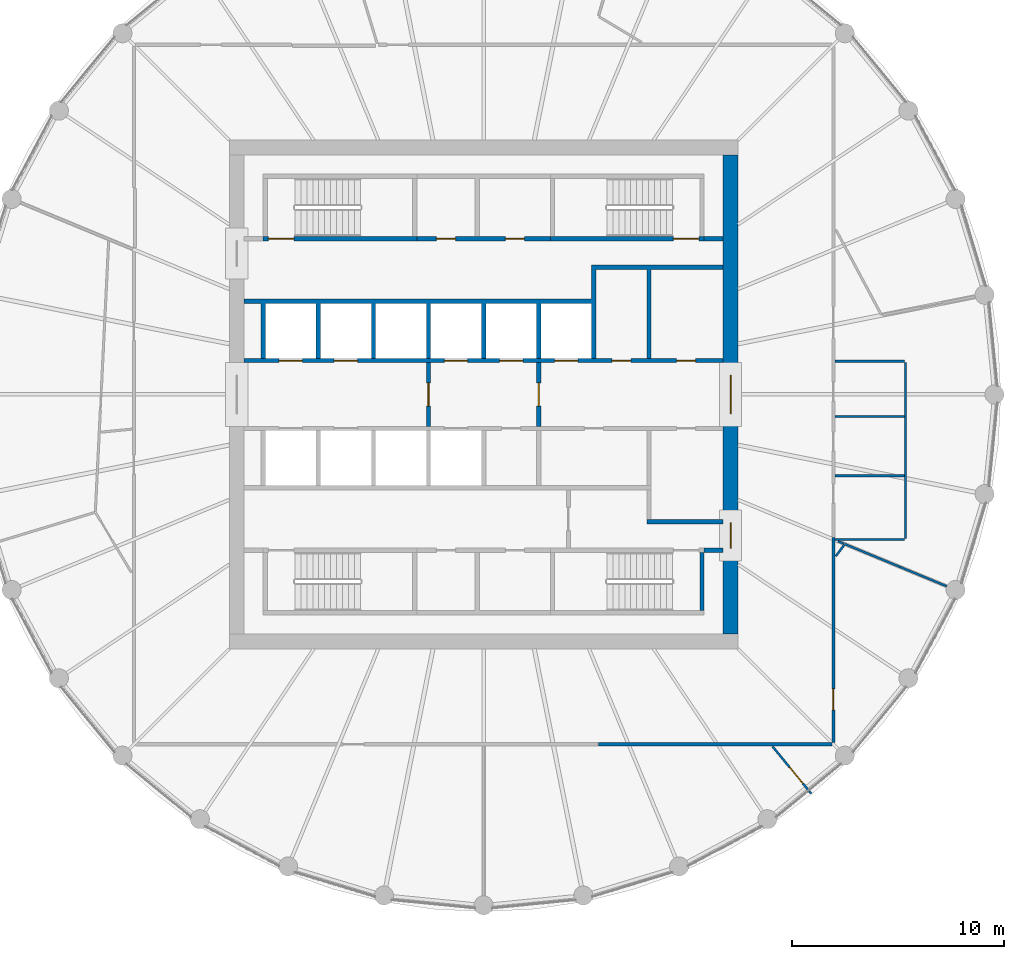
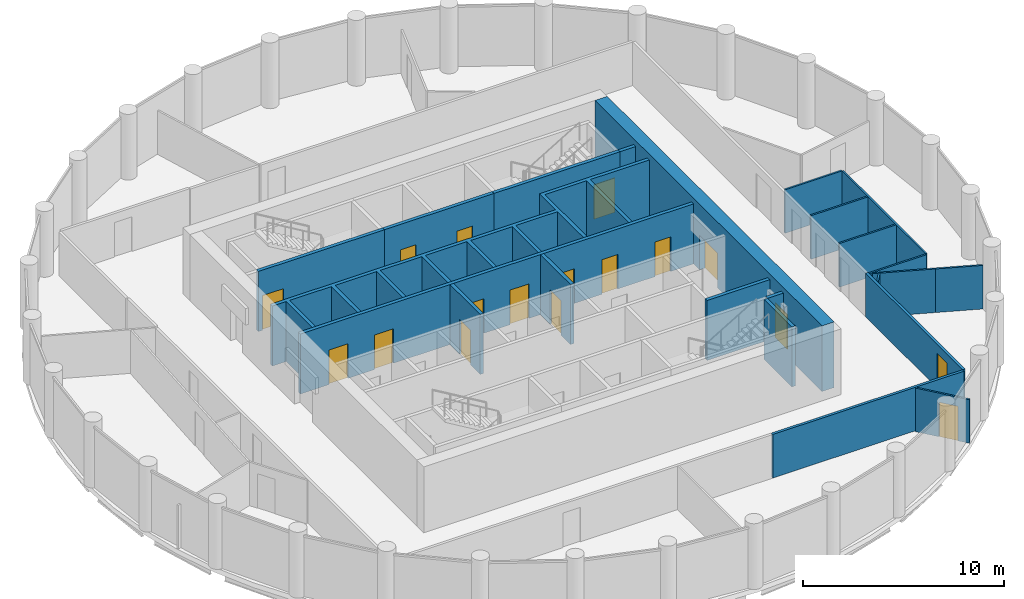
# One storey, part 5 of 7: 24 walls, 17 doors, 17 openings.
"""IFC4 building model written with IfcOpenShell, lengths in metres."""

from ifc_helpers import new_model, si_unit, direction, frame, frame_2d, origin, place, context, subcontext, project, spatial, polyline, rectangle, outline, extrude, material, layer, layer_set, type_object, element, fill, save


model = new_model("IFC4")

# Units and contexts
model_context = context("Model", 3, precision=1e-05, world=origin(), true_north=direction((0.0, 1.0)))
body_context = subcontext(model_context, "Body", "Model", "MODEL_VIEW")
ifc_project = project(units=[si_unit("LENGTHUNIT", "METRE"), si_unit("AREAUNIT", "SQUARE_METRE"), si_unit("VOLUMEUNIT", "CUBIC_METRE"), si_unit("PLANEANGLEUNIT", "RADIAN"), si_unit("MASSUNIT", "GRAM", prefix="KILO")], contexts=[model_context])

# Site, building, storey
site_placement = place(None, origin())
site = spatial("IfcSite", under=ifc_project, at=site_placement, CompositionType="ELEMENT")
building_placement = place(site_placement, origin())
building = spatial("IfcBuilding", under=site, at=building_placement, Name="Corvane Civic Tower", CompositionType="ELEMENT")
storey_placement = place(building_placement, frame((0.0, 0.0, 315.0)))
storey = spatial("IfcBuildingStorey", under=building, at=storey_placement, Name="L75", CompositionType="ELEMENT", Elevation=315.0)

# Wall, openings, doors
ifc_material_1 = material(Name="Concrete C40/50", Category="concrete")
ifc_layer_1 = layer(ifc_material_1, 0.699951171875)
ifc_layer_set_1 = layer_set([ifc_layer_1], Name="Concrete C40/50")
wall_type_1 = type_object("IfcWallType", Name="CORE WALL 700 C40/50", PredefinedType="SHEAR", material=ifc_layer_set_1)
wall_1_placement = place(storey_placement, frame((11.64990234375, -11.300048828125, 0.0), z_axis=(0.0, 0.0, 1.0), x_axis=(0.0, 1.0, 0.0)))
wall_1 = element("IfcWall", 1, at=wall_1_placement, inside=storey, type_object=wall_type_1, Name="W-L75-core-E", PredefinedType="SHEAR", context=body_context, shape_type="SweptSolid", body=[
    extrude(rectangle(XDim=22.60009765625, YDim=0.699951171875, at=frame_2d((11.300048828125, 0.0))), origin(), (0.0, 0.0, 1.0), 4.0),
])
opening_1_placement = place(wall_1_placement, frame((10.39990234375, 0.0, 0.0)))
opening_1 = element("IfcOpeningElement", 2, at=opening_1_placement, cuts=wall_1, Name="Opening L75.C18", PredefinedType="OPENING", context=body_context, shape_type="SweptSolid", body=[
    extrude(rectangle(XDim=1.800048828125, YDim=2.10009765625, at=frame_2d((0.89990234375, 1.050048828125))), frame((0.0, 0.35986328125, 0.0), z_axis=(0.0, -1.0, 0.0), x_axis=(1.0, 0.0, 0.0)), (0.0, 0.0, 1.0), 0.719970703125),
])
opening_2_placement = place(wall_1_placement, frame((4.050048828125, 0.0, 0.0)))
opening_2 = element("IfcOpeningElement", 3, at=opening_2_placement, cuts=wall_1, Name="Opening L75.C20", PredefinedType="OPENING", context=body_context, shape_type="SweptSolid", body=[
    extrude(rectangle(XDim=1.199951171875, YDim=2.10009765625, at=frame_2d((0.60009765625, 1.050048828125))), frame((0.0, 0.35986328125, 0.0), z_axis=(0.0, -1.0, 0.0), x_axis=(1.0, 0.0, 0.0)), (0.0, 0.0, 1.0), 0.719970703125),
])
ifc_material_2 = material(Name="Steel fire door leaf", Category="steel")
door_type_1 = type_object("IfcDoorType", Name="CR-DOOR-CORE-1800", OperationType="DOUBLE_DOOR_SINGLE_SWING", PredefinedType="DOOR", material=ifc_material_2)
door_1_placement = place(opening_1_placement, origin())
door_1 = element("IfcDoor", 4, at=door_1_placement, inside=storey, type_object=door_type_1, Name="L75 door", OperationType="DOUBLE_DOOR_SINGLE_SWING", OverallHeight=2.10009765625, OverallWidth=1.800048828125, PredefinedType="DOOR", context=body_context, shape_type="SweptSolid", body=[
    extrude(rectangle(XDim=1.800048828125, YDim=2.10009765625, at=frame_2d((0.89990234375, 1.050048828125))), frame((0.0, 0.02490234375, 0.0), z_axis=(0.0, -1.0, 0.0), x_axis=(1.0, 0.0, 0.0)), (0.0, 0.0, 1.0), 0.050048828125),
])
fill(opening_1, door_1)
door_2_placement = place(opening_2_placement, origin())
door_2 = element("IfcDoor", 5, at=door_2_placement, inside=storey, type_object=door_type_1, Name="L75 door", OperationType="DOUBLE_DOOR_SINGLE_SWING", OverallHeight=2.10009765625, OverallWidth=1.199951171875, PredefinedType="DOOR", context=body_context, shape_type="SweptSolid", body=[
    extrude(rectangle(XDim=1.199951171875, YDim=2.10009765625, at=frame_2d((0.60009765625, 1.050048828125))), frame((0.0, 0.02490234375, 0.0), z_axis=(0.0, -1.0, 0.0), x_axis=(1.0, 0.0, 0.0)), (0.0, 0.0, 1.0), 0.050048828125),
])
fill(opening_2, door_2)

ifc_material_3 = material(Name="Concrete C30/37", Category="concrete")
ifc_layer_2 = layer(ifc_material_3, 0.199951171875)
ifc_layer_set_2 = layer_set([ifc_layer_2], Name="Concrete C30/37")
wall_type_2 = type_object("IfcWallType", Name="CR-WALL-200", PredefinedType="PARTITIONING", material=ifc_layer_set_2)
wall_2_placement = place(storey_placement, frame((-11.300048828125, 1.60009765625, 0.0), z_axis=(0.0, 0.0, 1.0), x_axis=(1.0, 0.0, 0.0)))
wall_2 = element("IfcWall", 6, at=wall_2_placement, inside=storey, type_object=wall_type_2, Name="L75 lift shaft wall", PredefinedType="PARTITIONING", context=body_context, shape_type="SweptSolid", body=[
    extrude(rectangle(XDim=22.60009765625, YDim=0.199951171875, at=frame_2d((11.300048828125, 0.0))), origin(), (0.0, 0.0, 1.0), 3.64990234375),
])
opening_3_placement = place(wall_2_placement, frame((1.64990234375, 0.0, 0.0)))
opening_3 = element("IfcOpeningElement", 7, at=opening_3_placement, cuts=wall_2, Name="Opening LD", PredefinedType="OPENING", context=body_context, shape_type="SweptSolid", body=[
    extrude(rectangle(XDim=1.10009765625, YDim=2.10009765625, at=frame_2d((0.550048828125, 1.050048828125))), frame((0.0, 0.10986328125, 0.0), z_axis=(0.0, -1.0, 0.0), x_axis=(1.0, 0.0, 0.0)), (0.0, 0.0, 1.0), 0.219970703125),
])
opening_4_placement = place(wall_2_placement, frame((4.25, 0.0, 0.0)))
opening_4 = element("IfcOpeningElement", 8, at=opening_4_placement, cuts=wall_2, Name="Opening LD", PredefinedType="OPENING", context=body_context, shape_type="SweptSolid", body=[
    extrude(rectangle(XDim=1.10009765625, YDim=2.10009765625, at=frame_2d((0.550048828125, 1.050048828125))), frame((0.0, 0.10986328125, 0.0), z_axis=(0.0, -1.0, 0.0), x_axis=(1.0, 0.0, 0.0)), (0.0, 0.0, 1.0), 0.219970703125),
])
opening_5_placement = place(wall_2_placement, frame((9.449951171875, 0.0, 0.0)))
opening_5 = element("IfcOpeningElement", 9, at=opening_5_placement, cuts=wall_2, Name="Opening LD", PredefinedType="OPENING", context=body_context, shape_type="SweptSolid", body=[
    extrude(rectangle(XDim=1.10009765625, YDim=2.10009765625, at=frame_2d((0.550048828125, 1.050048828125))), frame((0.0, 0.10986328125, 0.0), z_axis=(0.0, -1.0, 0.0), x_axis=(1.0, 0.0, 0.0)), (0.0, 0.0, 1.0), 0.219970703125),
])
opening_6_placement = place(wall_2_placement, frame((12.050048828125, 0.0, 0.0)))
opening_6 = element("IfcOpeningElement", 10, at=opening_6_placement, cuts=wall_2, Name="Opening LD", PredefinedType="OPENING", context=body_context, shape_type="SweptSolid", body=[
    extrude(rectangle(XDim=1.10009765625, YDim=2.10009765625, at=frame_2d((0.550048828125, 1.050048828125))), frame((0.0, 0.10986328125, 0.0), z_axis=(0.0, -1.0, 0.0), x_axis=(1.0, 0.0, 0.0)), (0.0, 0.0, 1.0), 0.219970703125),
])
opening_7_placement = place(wall_2_placement, frame((14.64990234375, 0.0, 0.0)))
opening_7 = element("IfcOpeningElement", 11, at=opening_7_placement, cuts=wall_2, Name="Opening LD", PredefinedType="OPENING", context=body_context, shape_type="SweptSolid", body=[
    extrude(rectangle(XDim=1.10009765625, YDim=2.10009765625, at=frame_2d((0.550048828125, 1.050048828125))), frame((0.0, 0.10986328125, 0.0), z_axis=(0.0, -1.0, 0.0), x_axis=(1.0, 0.0, 0.0)), (0.0, 0.0, 1.0), 0.219970703125),
])
opening_8_placement = place(wall_2_placement, frame((17.35009765625, 0.0, 0.0)))
opening_8 = element("IfcOpeningElement", 12, at=opening_8_placement, cuts=wall_2, Name="Opening L75.C01", PredefinedType="OPENING", context=body_context, shape_type="SweptSolid", body=[
    extrude(rectangle(XDim=0.89990234375, YDim=2.10009765625, at=frame_2d((0.449951171875, 1.050048828125))), frame((0.0, 0.10986328125, 0.0), z_axis=(0.0, -1.0, 0.0), x_axis=(1.0, 0.0, 0.0)), (0.0, 0.0, 1.0), 0.219970703125),
])
opening_9_placement = place(wall_2_placement, frame((20.39990234375, 0.0, 0.0)))
opening_9 = element("IfcOpeningElement", 13, at=opening_9_placement, cuts=wall_2, Name="Opening L75.C02", PredefinedType="OPENING", context=body_context, shape_type="SweptSolid", body=[
    extrude(rectangle(XDim=0.89990234375, YDim=2.10009765625, at=frame_2d((0.449951171875, 1.050048828125))), frame((0.0, 0.10986328125, 0.0), z_axis=(0.0, -1.0, 0.0), x_axis=(1.0, 0.0, 0.0)), (0.0, 0.0, 1.0), 0.219970703125),
])
ifc_material_4 = material(Name="Steel fire door leaf", Category="steel")
door_type_2 = type_object("IfcDoorType", Name="CR-DOOR-900", OperationType="SINGLE_SWING_LEFT", PredefinedType="DOOR", material=ifc_material_4)
door_3_placement = place(opening_8_placement, origin())
door_3 = element("IfcDoor", 14, at=door_3_placement, inside=storey, type_object=door_type_2, Name="L75 door", OperationType="SINGLE_SWING_LEFT", OverallHeight=2.10009765625, OverallWidth=0.89990234375, PredefinedType="DOOR", context=body_context, shape_type="SweptSolid", body=[
    extrude(rectangle(XDim=0.89990234375, YDim=2.10009765625, at=frame_2d((0.449951171875, 1.050048828125))), frame((0.0, 0.02490234375, 0.0), z_axis=(0.0, -1.0, 0.0), x_axis=(1.0, 0.0, 0.0)), (0.0, 0.0, 1.0), 0.050048828125),
])
fill(opening_8, door_3)
door_4_placement = place(opening_9_placement, origin())
door_4 = element("IfcDoor", 15, at=door_4_placement, inside=storey, type_object=door_type_2, Name="L75 door", OperationType="SINGLE_SWING_LEFT", OverallHeight=2.10009765625, OverallWidth=0.89990234375, PredefinedType="DOOR", context=body_context, shape_type="SweptSolid", body=[
    extrude(rectangle(XDim=0.89990234375, YDim=2.10009765625, at=frame_2d((0.449951171875, 1.050048828125))), frame((0.0, 0.02490234375, 0.0), z_axis=(0.0, -1.0, 0.0), x_axis=(1.0, 0.0, 0.0)), (0.0, 0.0, 1.0), 0.050048828125),
])
fill(opening_9, door_4)
ifc_material_5 = material(Name="Stainless steel 316 door leaves", Category="steel")
door_type_3 = type_object("IfcDoorType", Name="LD", OperationType="DOUBLE_DOOR_SLIDING", PredefinedType="DOOR", material=ifc_material_5)
door_5_placement = place(opening_3_placement, origin())
door_5 = element("IfcDoor", 16, at=door_5_placement, inside=storey, type_object=door_type_3, Name="L75 landing door", OperationType="DOUBLE_DOOR_SLIDING", OverallHeight=2.10009765625, OverallWidth=1.10009765625, PredefinedType="DOOR", context=body_context, shape_type="SweptSolid", body=[
    extrude(rectangle(XDim=1.10009765625, YDim=2.10009765625, at=frame_2d((0.550048828125, 1.050048828125))), frame((0.0, 0.02490234375, 0.0), z_axis=(0.0, -1.0, 0.0), x_axis=(1.0, 0.0, 0.0)), (0.0, 0.0, 1.0), 0.050048828125),
])
fill(opening_3, door_5)
door_6_placement = place(opening_4_placement, origin())
door_6 = element("IfcDoor", 17, at=door_6_placement, inside=storey, type_object=door_type_3, Name="L75 landing door", OperationType="DOUBLE_DOOR_SLIDING", OverallHeight=2.10009765625, OverallWidth=1.10009765625, PredefinedType="DOOR", context=body_context, shape_type="SweptSolid", body=[
    extrude(rectangle(XDim=1.10009765625, YDim=2.10009765625, at=frame_2d((0.550048828125, 1.050048828125))), frame((0.0, 0.02490234375, 0.0), z_axis=(0.0, -1.0, 0.0), x_axis=(1.0, 0.0, 0.0)), (0.0, 0.0, 1.0), 0.050048828125),
])
fill(opening_4, door_6)
door_7_placement = place(opening_5_placement, origin())
door_7 = element("IfcDoor", 18, at=door_7_placement, inside=storey, type_object=door_type_3, Name="L75 landing door", OperationType="DOUBLE_DOOR_SLIDING", OverallHeight=2.10009765625, OverallWidth=1.10009765625, PredefinedType="DOOR", context=body_context, shape_type="SweptSolid", body=[
    extrude(rectangle(XDim=1.10009765625, YDim=2.10009765625, at=frame_2d((0.550048828125, 1.050048828125))), frame((0.0, 0.02490234375, 0.0), z_axis=(0.0, -1.0, 0.0), x_axis=(1.0, 0.0, 0.0)), (0.0, 0.0, 1.0), 0.050048828125),
])
fill(opening_5, door_7)
door_8_placement = place(opening_6_placement, origin())
door_8 = element("IfcDoor", 19, at=door_8_placement, inside=storey, type_object=door_type_3, Name="L75 landing door", OperationType="DOUBLE_DOOR_SLIDING", OverallHeight=2.10009765625, OverallWidth=1.10009765625, PredefinedType="DOOR", context=body_context, shape_type="SweptSolid", body=[
    extrude(rectangle(XDim=1.10009765625, YDim=2.10009765625, at=frame_2d((0.550048828125, 1.050048828125))), frame((0.0, 0.02490234375, 0.0), z_axis=(0.0, -1.0, 0.0), x_axis=(1.0, 0.0, 0.0)), (0.0, 0.0, 1.0), 0.050048828125),
])
fill(opening_6, door_8)
door_9_placement = place(opening_7_placement, origin())
door_9 = element("IfcDoor", 20, at=door_9_placement, inside=storey, type_object=door_type_3, Name="L75 landing door", OperationType="DOUBLE_DOOR_SLIDING", OverallHeight=2.10009765625, OverallWidth=1.10009765625, PredefinedType="DOOR", context=body_context, shape_type="SweptSolid", body=[
    extrude(rectangle(XDim=1.10009765625, YDim=2.10009765625, at=frame_2d((0.550048828125, 1.050048828125))), frame((0.0, 0.02490234375, 0.0), z_axis=(0.0, -1.0, 0.0), x_axis=(1.0, 0.0, 0.0)), (0.0, 0.0, 1.0), 0.050048828125),
])
fill(opening_7, door_9)

wall_3_placement = place(storey_placement, frame((-3.14990234375, 7.35009765625, 0.0), z_axis=(0.0, 0.0, 1.0), x_axis=(1.0, 0.0, 0.0)))
wall_3 = element("IfcWall", 21, at=wall_3_placement, inside=storey, type_object=wall_type_2, Name="L75 core partition wall", PredefinedType="PARTITIONING", context=body_context, shape_type="SweptSolid", body=[
    extrude(rectangle(XDim=6.2998046875, YDim=0.199951171875, at=frame_2d((3.14990234375, 0.0))), origin(), (0.0, 0.0, 1.0), 3.64990234375),
])
opening_10_placement = place(wall_3_placement, frame((0.925048828125, 0.0, 0.0)))
opening_10 = element("IfcOpeningElement", 22, at=opening_10_placement, cuts=wall_3, Name="Opening L75.C06", PredefinedType="OPENING", context=body_context, shape_type="SweptSolid", body=[
    extrude(rectangle(XDim=0.89990234375, YDim=2.10009765625, at=frame_2d((0.449951171875, 1.050048828125))), frame((0.0, 0.10986328125, 0.0), z_axis=(0.0, -1.0, 0.0), x_axis=(1.0, 0.0, 0.0)), (0.0, 0.0, 1.0), 0.219970703125),
])
opening_11_placement = place(wall_3_placement, frame((4.175048828125, 0.0, 0.0)))
opening_11 = element("IfcOpeningElement", 23, at=opening_11_placement, cuts=wall_3, Name="Opening L75.C07", PredefinedType="OPENING", context=body_context, shape_type="SweptSolid", body=[
    extrude(rectangle(XDim=0.89990234375, YDim=2.10009765625, at=frame_2d((0.449951171875, 1.050048828125))), frame((0.0, 0.10986328125, 0.0), z_axis=(0.0, -1.0, 0.0), x_axis=(1.0, 0.0, 0.0)), (0.0, 0.0, 1.0), 0.219970703125),
])
door_10_placement = place(opening_10_placement, origin())
door_10 = element("IfcDoor", 24, at=door_10_placement, inside=storey, type_object=door_type_2, Name="L75 door", OperationType="SINGLE_SWING_LEFT", OverallHeight=2.10009765625, OverallWidth=0.89990234375, PredefinedType="DOOR", context=body_context, shape_type="SweptSolid", body=[
    extrude(rectangle(XDim=0.89990234375, YDim=2.10009765625, at=frame_2d((0.449951171875, 1.050048828125))), frame((0.0, 0.02490234375, 0.0), z_axis=(0.0, -1.0, 0.0), x_axis=(1.0, 0.0, 0.0)), (0.0, 0.0, 1.0), 0.050048828125),
])
fill(opening_10, door_10)
door_11_placement = place(opening_11_placement, origin())
door_11 = element("IfcDoor", 25, at=door_11_placement, inside=storey, type_object=door_type_2, Name="L75 door", OperationType="SINGLE_SWING_LEFT", OverallHeight=2.10009765625, OverallWidth=0.89990234375, PredefinedType="DOOR", context=body_context, shape_type="SweptSolid", body=[
    extrude(rectangle(XDim=0.89990234375, YDim=2.10009765625, at=frame_2d((0.449951171875, 1.050048828125))), frame((0.0, 0.02490234375, 0.0), z_axis=(0.0, -1.0, 0.0), x_axis=(1.0, 0.0, 0.0)), (0.0, 0.0, 1.0), 0.050048828125),
])
fill(opening_11, door_11)

# Wall, opening, door
wall_4_placement = place(storey_placement, frame((-2.60009765625, -1.5, 0.0), z_axis=(0.0, 0.0, 1.0), x_axis=(0.0, 1.0, 0.0)))
wall_4 = element("IfcWall", 26, at=wall_4_placement, inside=storey, type_object=wall_type_2, Name="L75 firefighting lobby wall", PredefinedType="PARTITIONING", context=body_context, shape_type="SweptSolid", body=[
    extrude(rectangle(XDim=3.0, YDim=0.199951171875, at=frame_2d((1.5, 0.0))), origin(), (0.0, 0.0, 1.0), 3.64990234375),
])
opening_12_placement = place(wall_4_placement, frame((0.949951171875, 0.0, 0.0)))
opening_12 = element("IfcOpeningElement", 27, at=opening_12_placement, cuts=wall_4, Name="Opening L75.C14", PredefinedType="OPENING", context=body_context, shape_type="SweptSolid", body=[
    extrude(rectangle(XDim=1.10009765625, YDim=2.10009765625, at=frame_2d((0.550048828125, 1.050048828125))), frame((0.0, 0.10986328125, 0.0), z_axis=(0.0, -1.0, 0.0), x_axis=(1.0, 0.0, 0.0)), (0.0, 0.0, 1.0), 0.219970703125),
])
ifc_material_6 = material(Name="Steel fire door leaf", Category="steel")
door_type_4 = type_object("IfcDoorType", Name="CR-DOOR-FFL-1100", OperationType="SINGLE_SWING_LEFT", PredefinedType="DOOR", material=ifc_material_6)
door_12_placement = place(opening_12_placement, origin())
door_12 = element("IfcDoor", 28, at=door_12_placement, inside=storey, type_object=door_type_4, Name="L75 lobby door", OperationType="SINGLE_SWING_LEFT", OverallHeight=2.10009765625, OverallWidth=1.10009765625, PredefinedType="DOOR", context=body_context, shape_type="SweptSolid", body=[
    extrude(rectangle(XDim=1.10009765625, YDim=2.10009765625, at=frame_2d((0.550048828125, 1.050048828125))), frame((0.0, 0.02490234375, 0.0), z_axis=(0.0, -1.0, 0.0), x_axis=(1.0, 0.0, 0.0)), (0.0, 0.0, 1.0), 0.050048828125),
])
fill(opening_12, door_12)

wall_5_placement = place(storey_placement, frame((2.60009765625, -1.5, 0.0), z_axis=(0.0, 0.0, 1.0), x_axis=(0.0, 1.0, 0.0)))
wall_5 = element("IfcWall", 29, at=wall_5_placement, inside=storey, type_object=wall_type_2, Name="L75 firefighting lobby wall", PredefinedType="PARTITIONING", context=body_context, shape_type="SweptSolid", body=[
    extrude(rectangle(XDim=3.0, YDim=0.199951171875, at=frame_2d((1.5, 0.0))), origin(), (0.0, 0.0, 1.0), 3.64990234375),
])
opening_13_placement = place(wall_5_placement, frame((0.949951171875, 0.0, 0.0)))
opening_13 = element("IfcOpeningElement", 30, at=opening_13_placement, cuts=wall_5, Name="Opening L75.C15", PredefinedType="OPENING", context=body_context, shape_type="SweptSolid", body=[
    extrude(rectangle(XDim=1.10009765625, YDim=2.10009765625, at=frame_2d((0.550048828125, 1.050048828125))), frame((0.0, 0.10986328125, 0.0), z_axis=(0.0, -1.0, 0.0), x_axis=(1.0, 0.0, 0.0)), (0.0, 0.0, 1.0), 0.219970703125),
])
door_13_placement = place(opening_13_placement, origin())
door_13 = element("IfcDoor", 31, at=door_13_placement, inside=storey, type_object=door_type_4, Name="L75 lobby door", OperationType="SINGLE_SWING_LEFT", OverallHeight=2.10009765625, OverallWidth=1.10009765625, PredefinedType="DOOR", context=body_context, shape_type="SweptSolid", body=[
    extrude(rectangle(XDim=1.10009765625, YDim=2.10009765625, at=frame_2d((0.550048828125, 1.050048828125))), frame((0.0, 0.02490234375, 0.0), z_axis=(0.0, -1.0, 0.0), x_axis=(1.0, 0.0, 0.0)), (0.0, 0.0, 1.0), 0.050048828125),
])
fill(opening_13, door_13)

# Walls
wall_6_placement = place(storey_placement, origin())
element("IfcWall", 32, at=wall_6_placement, inside=storey, type_object=wall_type_2, Name="L75 core partition wall", PredefinedType="PARTITIONING", context=body_context, shape_type="SweptSolid", body=[
    extrude(outline(polyline([(11.300048828125, -6.10009765625), (7.699951171875, -6.10009765625), (7.699951171875, -5.89990234375), (11.300048828125, -5.89990234375), (11.300048828125, -6.10009765625)])), origin(), (0.0, 0.0, 1.0), 3.64990234375),
])
wall_7_placement = place(storey_placement, origin())
element("IfcWall", 33, at=wall_7_placement, inside=storey, type_object=wall_type_2, Name="L75 core partition wall", PredefinedType="PARTITIONING", context=body_context, shape_type="SweptSolid", body=[
    extrude(outline(polyline([(-5.300048828125, 1.699951171875), (-5.300048828125, 4.300048828125), (-7.699951171875, 4.300048828125), (-7.699951171875, 1.699951171875), (-7.89990234375, 1.699951171875), (-7.89990234375, 4.300048828125), (-10.300048828125, 4.300048828125), (-10.300048828125, 1.699951171875), (-10.5, 1.699951171875), (-10.5, 4.300048828125), (-11.300048828125, 4.300048828125), (-11.300048828125, 4.5), (5.10009765625, 4.5), (5.10009765625, 6.10009765625), (11.300048828125, 6.10009765625), (11.300048828125, 5.89990234375), (7.89990234375, 5.89990234375), (7.89990234375, 1.699951171875), (7.699951171875, 1.699951171875), (7.699951171875, 5.89990234375), (5.300048828125, 5.89990234375), (5.300048828125, 1.699951171875), (5.10009765625, 1.699951171875), (5.10009765625, 4.300048828125), (2.699951171875, 4.300048828125), (2.699951171875, 1.699951171875), (2.5, 1.699951171875), (2.5, 4.300048828125), (0.10009765625, 4.300048828125), (0.10009765625, 1.699951171875), (-0.10009765625, 1.699951171875), (-0.10009765625, 4.300048828125), (-2.5, 4.300048828125), (-2.5, 1.699951171875), (-2.699951171875, 1.699951171875), (-2.699951171875, 4.300048828125), (-5.10009765625, 4.300048828125), (-5.10009765625, 1.699951171875), (-5.300048828125, 1.699951171875)])), origin(), (0.0, 0.0, 1.0), 3.64990234375),
])
wall_8_placement = place(storey_placement, origin())
element("IfcWall", 34, at=wall_8_placement, inside=storey, type_object=wall_type_2, Name="L75 core partition wall", PredefinedType="PARTITIONING", context=body_context, shape_type="SweptSolid", body=[
    extrude(outline(polyline([(11.300048828125, -7.449951171875), (10.39990234375, -7.449951171875), (10.39990234375, -7.25), (11.300048828125, -7.25), (11.300048828125, -7.449951171875)])), origin(), (0.0, 0.0, 1.0), 3.64990234375),
])
wall_9_placement = place(storey_placement, origin())
element("IfcWall", 35, at=wall_9_placement, inside=storey, type_object=wall_type_2, Name="L75 core partition wall", PredefinedType="PARTITIONING", context=body_context, shape_type="SweptSolid", body=[
    extrude(outline(polyline([(10.39990234375, 7.25), (10.39990234375, 7.449951171875), (11.300048828125, 7.449951171875), (11.300048828125, 7.25), (10.39990234375, 7.25)])), origin(), (0.0, 0.0, 1.0), 3.64990234375),
])

# Wall, opening, door
ifc_material_7 = material(Name="Plasterboard")
ifc_layer_3 = layer(ifc_material_7, 0.10009765625)
ifc_layer_set_3 = layer_set([ifc_layer_3], Name="Plasterboard")
wall_type_3 = type_object("IfcWallType", Name="Partition 100 plasterboard on studs", PredefinedType="PARTITIONING", material=ifc_layer_set_3)
wall_10_placement = place(storey_placement, frame((13.62890625, -16.606689453125, 0.0), z_axis=(0.0, 0.0, 1.0), x_axis=(0.634336185926, -0.773057309147, 0.0)))
wall_10 = element("IfcWall", 36, at=wall_10_placement, inside=storey, type_object=wall_type_3, Name="Partition L75.002", PredefinedType="PARTITIONING", context=body_context, shape_type="SweptSolid", body=[
    extrude(rectangle(XDim=2.866943359375, YDim=0.10009765625, at=frame_2d((1.43359375, 0.0))), origin(), (0.0, 0.0, 1.0), 2.64990234375),
])
opening_14_placement = place(wall_10_placement, frame((1.2607421875, 0.0, 0.0)))
opening_14 = element("IfcOpeningElement", 37, at=opening_14_placement, cuts=wall_10, Name="Opening L75.002", PredefinedType="OPENING", context=body_context, shape_type="SweptSolid", body=[
    extrude(rectangle(XDim=1.0, YDim=2.10009765625, at=frame_2d((0.5, 1.050048828125))), frame((0.0, 0.06005859375, 0.0), z_axis=(0.0, -1.0, 0.0), x_axis=(1.0, 0.0, 0.0)), (0.0, 0.0, 1.0), 0.1201171875),
])
ifc_material_8 = material(Name="Timber", Category="wood")
door_type_5 = type_object("IfcDoorType", Name="Single door 1000", OperationType="NOTDEFINED", PredefinedType="DOOR", material=ifc_material_8)
door_14_placement = place(opening_14_placement, frame((1.0, 0.0, 0.0), z_axis=(0.0, 0.0, 1.0), x_axis=(-1.0, 0.0, 0.0)))
door_14 = element("IfcDoor", 38, at=door_14_placement, inside=storey, type_object=door_type_5, Name="Door L75.002", OperationType="SINGLE_SWING_RIGHT", OverallHeight=2.10009765625, OverallWidth=1.0, PredefinedType="DOOR", context=body_context, shape_type="SweptSolid", body=[
    extrude(rectangle(XDim=1.0, YDim=2.10009765625, at=frame_2d((0.5, 1.050048828125))), frame((0.0, 0.02490234375, 0.0), z_axis=(0.0, -1.0, 0.0), x_axis=(1.0, 0.0, 0.0)), (0.0, 0.0, 1.0), 0.050048828125),
])
fill(opening_14, door_14)

# Walls
wall_11_placement = place(storey_placement, frame((19.643310546875, -8.13671875, 0.0), z_axis=(0.0, 0.0, 1.0), x_axis=(0.923949280598, -0.382515002167, 0.0)))
element("IfcWall", 39, at=wall_11_placement, inside=storey, type_object=wall_type_3, Name="Partition L75.007", PredefinedType="PARTITIONING", context=body_context, shape_type="SweptSolid", body=[
    extrude(rectangle(XDim=2.378173828125, YDim=0.10009765625, at=frame_2d((1.18896484375, 0.0))), origin(), (0.0, 0.0, 1.0), 2.64990234375),
])
wall_12_placement = place(storey_placement, frame((17.02978515625, -7.053955078125, 0.0), z_axis=(0.0, 0.0, 1.0), x_axis=(0.92385378389, -0.382745589122, 0.0)))
element("IfcWall", 40, at=wall_12_placement, inside=storey, type_object=wall_type_3, Name="Partition L75.009", PredefinedType="PARTITIONING", context=body_context, shape_type="SweptSolid", body=[
    extrude(rectangle(XDim=2.828857421875, YDim=0.10009765625, at=frame_2d((1.41455078125, 0.0))), origin(), (0.0, 0.0, 1.0), 2.64990234375),
])
wall_13_placement = place(storey_placement, frame((16.574951171875, -6.83447265625, 0.0), z_axis=(0.0, 0.0, 1.0), x_axis=(1.0, 0.0, 0.0)))
element("IfcWall", 41, at=wall_13_placement, inside=storey, type_object=wall_type_3, Name="Partition L75.011", PredefinedType="PARTITIONING", context=body_context, shape_type="SweptSolid", body=[
    extrude(rectangle(XDim=3.275146484375, YDim=0.10009765625, at=frame_2d((1.6376953125, 0.0))), origin(), (0.0, 0.0, 1.0), 2.64990234375),
])
wall_14_placement = place(storey_placement, frame((19.89990234375, -6.784423828125, 0.0), z_axis=(0.0, 0.0, 1.0), x_axis=(0.0, 1.0, 0.0)))
element("IfcWall", 42, at=wall_14_placement, inside=storey, type_object=wall_type_3, Name="Partition L75.012", PredefinedType="PARTITIONING", context=body_context, shape_type="SweptSolid", body=[
    extrude(rectangle(XDim=8.2998046875, YDim=0.10009765625, at=frame_2d((4.14990234375, 0.0))), origin(), (0.0, 0.0, 1.0), 2.64990234375),
])
for number, where, z_axis, x_axis, name in (
    (43, (16.574951171875, -3.83447265625, 0.0), (0.0, 0.0, 1.0), (1.0, 0.0, 0.0), "Partition L75.015"),
    (44, (16.574951171875, -1.034423828125, 0.0), (0.0, 0.0, 1.0), (1.0, 0.0, 0.0), "Partition L75.017"),
    (45, (16.574951171875, 1.5654296875, 0.0), (0.0, 0.0, 1.0), (1.0, 0.0, 0.0), "Partition L75.018"),
):
    element("IfcWall", number, at=place(storey_placement, frame(where, z_axis=z_axis, x_axis=x_axis)), inside=storey, type_object=wall_type_3, Name=name, PredefinedType="PARTITIONING", context=body_context, shape_type="SweptSolid", body=[
        extrude(rectangle(XDim=3.275146484375, YDim=0.10009765625, at=frame_2d((1.6376953125, 0.0))), origin(), (0.0, 0.0, 1.0), 2.64990234375),
    ])
wall_15_placement = place(storey_placement, frame((16.71728515625, -6.924560546875, 0.0), z_axis=(0.0, 0.0, 1.0), x_axis=(0.924006983526, -0.382375593358, 0.0)))
element("IfcWall", 46, at=wall_15_placement, inside=storey, type_object=wall_type_3, Name="Partition L75.030", PredefinedType="PARTITIONING", context=body_context, shape_type="SweptSolid", body=[
    extrude(rectangle(XDim=0.302001953125, YDim=0.10009765625, at=frame_2d((0.15087890625, 0.0))), origin(), (0.0, 0.0, 1.0), 2.64990234375),
])
wall_16_placement = place(storey_placement, frame((16.614990234375, -7.6298828125, 0.0), z_axis=(0.0, 0.0, 1.0), x_axis=(0.595733138073, 0.803182437683, 0.0)))
element("IfcWall", 47, at=wall_16_placement, inside=storey, type_object=wall_type_3, Name="Partition L75.031", PredefinedType="PARTITIONING", context=body_context, shape_type="SweptSolid", body=[
    extrude(rectangle(XDim=0.669677734375, YDim=0.10009765625, at=frame_2d((0.3349609375, 0.0))), origin(), (0.0, 0.0, 1.0), 2.64990234375),
])

# Wall, opening, door
ifc_material_9 = material(Name="Concrete C50/60", Category="concrete")
ifc_layer_4 = layer(ifc_material_9, 0.199951171875)
ifc_layer_set_4 = layer_set([ifc_layer_4], Name="Concrete C50/60")
wall_type_4 = type_object("IfcWallType", Name="ST-WALL-200", PredefinedType="SHEAR", material=ifc_layer_set_4)
wall_17_placement = place(storey_placement, frame((-10.39990234375, 7.35009765625, 0.0), z_axis=(0.0, 0.0, 1.0), x_axis=(1.0, 0.0, 0.0)))
wall_17 = element("IfcWall", 48, at=wall_17_placement, inside=storey, type_object=wall_type_4, Name="L75 stair enclosure wall", PredefinedType="SHEAR", context=body_context, shape_type="SweptSolid", body=[
    extrude(rectangle(XDim=7.25, YDim=0.199951171875, at=frame_2d((3.625, 0.0))), origin(), (0.0, 0.0, 1.0), 3.64990234375),
])
opening_15_placement = place(wall_17_placement, frame((0.25, 0.0, 0.0)))
opening_15 = element("IfcOpeningElement", 49, at=opening_15_placement, cuts=wall_17, Name="Opening L75.C11", PredefinedType="OPENING", context=body_context, shape_type="SweptSolid", body=[
    extrude(rectangle(XDim=1.199951171875, YDim=2.10009765625, at=frame_2d((0.60009765625, 1.050048828125))), frame((0.0, 0.10986328125, 0.0), z_axis=(0.0, -1.0, 0.0), x_axis=(1.0, 0.0, 0.0)), (0.0, 0.0, 1.0), 0.219970703125),
])
ifc_material_10 = material(Name="Steel fire door leaf", Category="steel")
door_type_6 = type_object("IfcDoorType", Name="ST-DOOR-1200", OperationType="SINGLE_SWING_RIGHT", PredefinedType="DOOR", material=ifc_material_10)
door_15_placement = place(opening_15_placement, origin())
door_15 = element("IfcDoor", 50, at=door_15_placement, inside=storey, type_object=door_type_6, Name="L75 stair door", OperationType="SINGLE_SWING_RIGHT", OverallHeight=2.10009765625, OverallWidth=1.199951171875, PredefinedType="DOOR", context=body_context, shape_type="SweptSolid", body=[
    extrude(rectangle(XDim=1.199951171875, YDim=2.10009765625, at=frame_2d((0.60009765625, 1.050048828125))), frame((0.0, 0.02490234375, 0.0), z_axis=(0.0, -1.0, 0.0), x_axis=(1.0, 0.0, 0.0)), (0.0, 0.0, 1.0), 0.050048828125),
])
fill(opening_15, door_15)

wall_18_placement = place(storey_placement, frame((3.14990234375, 7.35009765625, 0.0), z_axis=(0.0, 0.0, 1.0), x_axis=(1.0, 0.0, 0.0)))
wall_18 = element("IfcWall", 51, at=wall_18_placement, inside=storey, type_object=wall_type_4, Name="L75 stair enclosure wall", PredefinedType="SHEAR", context=body_context, shape_type="SweptSolid", body=[
    extrude(rectangle(XDim=7.25, YDim=0.199951171875, at=frame_2d((3.625, 0.0))), origin(), (0.0, 0.0, 1.0), 3.64990234375),
])
opening_16_placement = place(wall_18_placement, frame((5.800048828125, 0.0, 0.0)))
opening_16 = element("IfcOpeningElement", 52, at=opening_16_placement, cuts=wall_18, Name="Opening L75.C10", PredefinedType="OPENING", context=body_context, shape_type="SweptSolid", body=[
    extrude(rectangle(XDim=1.199951171875, YDim=2.10009765625, at=frame_2d((0.60009765625, 1.050048828125))), frame((0.0, 0.10986328125, 0.0), z_axis=(0.0, -1.0, 0.0), x_axis=(1.0, 0.0, 0.0)), (0.0, 0.0, 1.0), 0.219970703125),
])
door_16_placement = place(opening_16_placement, origin())
door_16 = element("IfcDoor", 53, at=door_16_placement, inside=storey, type_object=door_type_6, Name="L75 stair door", OperationType="SINGLE_SWING_RIGHT", OverallHeight=2.10009765625, OverallWidth=1.199951171875, PredefinedType="DOOR", context=body_context, shape_type="SweptSolid", body=[
    extrude(rectangle(XDim=1.199951171875, YDim=2.10009765625, at=frame_2d((0.60009765625, 1.050048828125))), frame((0.0, 0.02490234375, 0.0), z_axis=(0.0, -1.0, 0.0), x_axis=(1.0, 0.0, 0.0)), (0.0, 0.0, 1.0), 0.050048828125),
])
fill(opening_16, door_16)

# Walls
wall_19_placement = place(storey_placement, origin())
element("IfcWall", 54, at=wall_19_placement, inside=storey, type_object=wall_type_4, Name="L75 stair enclosure wall", PredefinedType="SHEAR", context=body_context, shape_type="SweptSolid", body=[
    extrude(outline(polyline([(10.39990234375, -7.449951171875), (10.39990234375, -10.199951171875), (10.199951171875, -10.199951171875), (10.199951171875, -7.449951171875), (10.39990234375, -7.449951171875)])), origin(), (0.0, 0.0, 1.0), 3.64990234375),
])
ifc_material_11 = material(Name="Plasterboard")
ifc_layer_5 = layer(ifc_material_11, 0.14990234375)
ifc_layer_set_5 = layer_set([ifc_layer_5], Name="Plasterboard")
wall_type_5 = type_object("IfcWallType", Name="Tenancy wall 150 EI 60", PredefinedType="PARTITIONING", material=ifc_layer_set_5)
wall_20_placement = place(storey_placement, frame((5.430419921875, -16.5, 0.0), z_axis=(0.0, 0.0, 1.0), x_axis=(1.0, 0.0, 0.0)))
element("IfcWall", 55, at=wall_20_placement, inside=storey, type_object=wall_type_5, Name="Partition L75.004", PredefinedType="PARTITIONING", context=body_context, shape_type="SweptSolid", body=[
    extrude(rectangle(XDim=10.99462890625, YDim=0.14990234375, at=frame_2d((5.497314453125, 0.0))), origin(), (0.0, 0.0, 1.0), 2.64990234375),
])

# Wall, opening, door
wall_21_placement = place(storey_placement, frame((16.5, -16.425048828125, 0.0), z_axis=(0.0, 0.0, 1.0), x_axis=(0.0, 1.0, 0.0)))
wall_21 = element("IfcWall", 56, at=wall_21_placement, inside=storey, type_object=wall_type_5, Name="Partition L75.006", PredefinedType="PARTITIONING", context=body_context, shape_type="SweptSolid", body=[
    extrude(rectangle(XDim=9.66552734375, YDim=0.14990234375, at=frame_2d((4.832763671875, 0.0))), origin(), (0.0, 0.0, 1.0), 2.64990234375),
])
opening_17_placement = place(wall_21_placement, frame((1.530029296875, 0.0, 0.0)))
opening_17 = element("IfcOpeningElement", 57, at=opening_17_placement, cuts=wall_21, Name="Opening L75.001", PredefinedType="OPENING", context=body_context, shape_type="SweptSolid", body=[
    extrude(rectangle(XDim=1.0, YDim=2.10009765625, at=frame_2d((0.5, 1.050048828125))), frame((0.0, 0.0849609375, 0.0), z_axis=(0.0, -1.0, 0.0), x_axis=(1.0, 0.0, 0.0)), (0.0, 0.0, 1.0), 0.169921875),
])
ifc_material_12 = material(Name="Steel and timber", Category="steel")
door_type_7 = type_object("IfcDoorType", Name="Fire door FD30S 1000", OperationType="NOTDEFINED", PredefinedType="DOOR", material=ifc_material_12)
door_17_placement = place(opening_17_placement, frame((1.0, 0.0, 0.0), z_axis=(0.0, 0.0, 1.0), x_axis=(-1.0, 0.0, 0.0)))
door_17 = element("IfcDoor", 58, at=door_17_placement, inside=storey, type_object=door_type_7, Name="Door L75.001", OperationType="SINGLE_SWING_LEFT", OverallHeight=2.10009765625, OverallWidth=1.0, PredefinedType="DOOR", context=body_context, shape_type="SweptSolid", body=[
    extrude(rectangle(XDim=1.0, YDim=2.10009765625, at=frame_2d((0.5, 1.050048828125))), frame((0.0, 0.02490234375, 0.0), z_axis=(0.0, -1.0, 0.0), x_axis=(1.0, 0.0, 0.0)), (0.0, 0.0, 1.0), 0.050048828125),
])
fill(opening_17, door_17)

save(model, "model.ifc")
